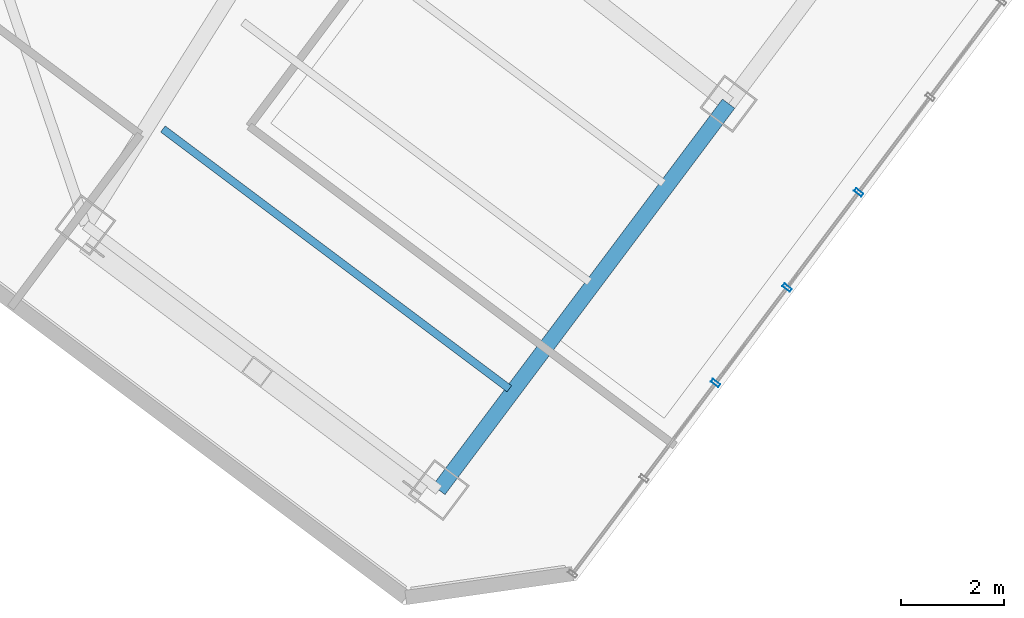
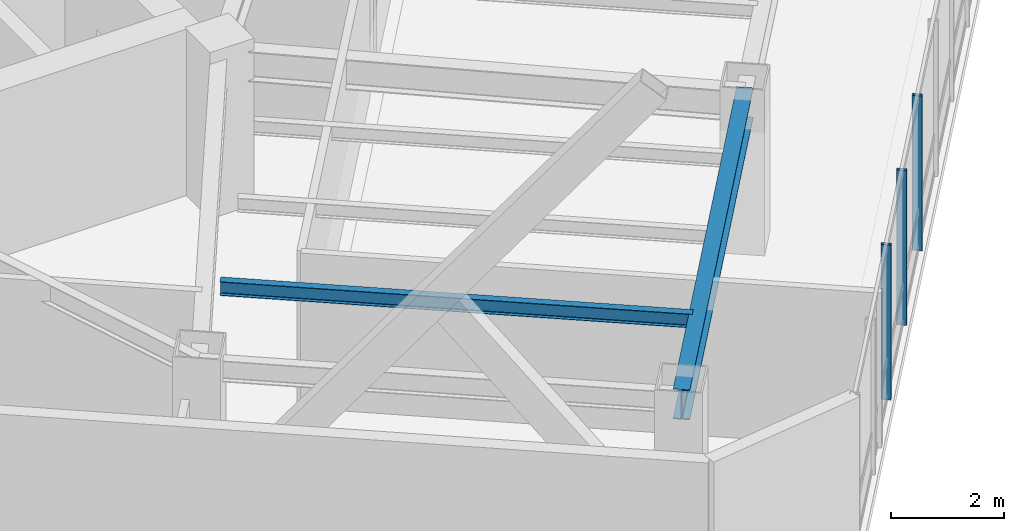
# One storey, part 11 of 26: 3 members, 2 beams, 1 element without a shape of its own.
"""IFC4 building model written with IfcOpenShell, lengths in metres."""

from ifc_helpers import new_model, si_unit, direction, frame, origin, origin_2d, place, context, subcontext, project, spatial, hollow_rectangle, i_section, extrude, material, layer, layer_set, material_profile, profile_set, type_object, element, aggregate, save


model = new_model("IFC4")

# Units and contexts
model_context = context("Model", 3, precision=1e-05, world=origin(), true_north=direction((0.0, 1.0)))
body_context = subcontext(model_context, "Body", "Model", "MODEL_VIEW")
ifc_project = project(units=[si_unit("LENGTHUNIT", "METRE"), si_unit("AREAUNIT", "SQUARE_METRE"), si_unit("VOLUMEUNIT", "CUBIC_METRE"), si_unit("PLANEANGLEUNIT", "RADIAN"), si_unit("MASSUNIT", "GRAM", prefix="KILO")], contexts=[model_context])

# Site, building, storey
site_placement = place(None, origin())
site = spatial("IfcSite", under=ifc_project, at=site_placement, CompositionType="ELEMENT")
building_placement = place(site_placement, origin())
building = spatial("IfcBuilding", under=site, at=building_placement, Name="Hatsunagi Terrace Concourse", CompositionType="ELEMENT")
storey_placement = place(building_placement, frame((0.0, 0.0, 134.85009765625)))
storey = spatial("IfcBuildingStorey", under=building, at=storey_placement, Name="L35", CompositionType="ELEMENT", Elevation=134.85009765625)

# Curtain wall, members
ifc_material_1 = material(Name="Anodised Aluminium Alloy 6063-T5", Category="aluminium")
ifc_layer = layer(ifc_material_1, 0.199951171875)
ifc_layer_set = layer_set([ifc_layer], Name="OfficeZone1_CW03")
curtain_wall_type = type_object("IfcCurtainWallType", Name="OfficeZone1_CW03", PredefinedType="NOTDEFINED", material=ifc_layer_set)
curtain_wall_placement = place(storey_placement, origin())
curtain_wall = element("IfcCurtainWall", 1, at=curtain_wall_placement, inside=storey, type_object=curtain_wall_type, Name="Unitised Curtain Wall CW-03 CW-L35-03", PredefinedType="NOTDEFINED")
ifc_material_2 = material(Name="Anodised Aluminium Alloy 6063-T5", Category="aluminium")
ifc_material_profile_1 = material_profile(ifc_material_2, hollow_rectangle(XDim=0.070068359375, YDim=0.179931640625, WallThickness=0.00390625, at=origin_2d()), Name="ALU-MUL-180x70x4")
ifc_profile_set_1 = profile_set([ifc_material_profile_1], Name="Anodised Aluminium Alloy 6063-T5")
member_type = type_object("IfcMemberType", Name="CurtainWallMullion_180x70", PredefinedType="MULLION", material=ifc_profile_set_1)
member_1_placement = place(storey_placement, frame((53.73193359375, 16.676025390625, 0.0), z_axis=(0.0, 0.0, 1.0), x_axis=(-0.599969314634, -0.800023013105, 0.0)))
member_1 = element("IfcMember", 2, at=member_1_placement, type_object=member_type, Name="Curtain Wall Mullion MUL-02", PredefinedType="MULLION", context=body_context, shape_type="SweptSolid", body=[
    extrude(hollow_rectangle(XDim=0.070068359375, YDim=0.179931640625, WallThickness=0.00390625, at=origin_2d()), origin(), (0.0, 0.0, 1.0), 3.349853515625),
])
member_2_placement = place(storey_placement, frame((52.340087890625, 14.819091796875, 0.0), z_axis=(0.0, 0.0, 1.0), x_axis=(-0.599969314634, -0.800023013105, 0.0)))
member_2 = element("IfcMember", 3, at=member_2_placement, type_object=member_type, Name="Curtain Wall Mullion MUL-02", PredefinedType="MULLION", context=body_context, shape_type="SweptSolid", body=[
    extrude(hollow_rectangle(XDim=0.070068359375, YDim=0.179931640625, WallThickness=0.00390625, at=origin_2d()), origin(), (0.0, 0.0, 1.0), 3.349853515625),
])
member_3_placement = place(storey_placement, frame((50.947021484375, 12.962890625, 0.0), z_axis=(0.0, 0.0, 1.0), x_axis=(-0.599969314634, -0.800023013105, 0.0)))
member_3 = element("IfcMember", 4, at=member_3_placement, type_object=member_type, Name="Curtain Wall Mullion MUL-02", PredefinedType="MULLION", context=body_context, shape_type="SweptSolid", body=[
    extrude(hollow_rectangle(XDim=0.070068359375, YDim=0.179931640625, WallThickness=0.00390625, at=origin_2d()), origin(), (0.0, 0.0, 1.0), 3.349853515625),
])
aggregate(curtain_wall, [member_1, member_2, member_3])

# Beams
ifc_material_3 = material(Name="Steel SN490B", Category="steel")
ifc_material_profile_2 = material_profile(ifc_material_3, i_section(OverallWidth=0.14990234375, OverallDepth=0.300048828125, WebThickness=0.006591796875, FlangeThickness=0.009033203125, FilletRadius=0.010986328125, at=origin_2d()), Name="H-300x150x6.5x9")
ifc_profile_set_2 = profile_set([ifc_material_profile_2], Name="Steel SN490B")
beam_type_1 = type_object("IfcBeamType", Name="OfficeJoist_H_300x150", PredefinedType="JOIST", material=ifc_profile_set_2)
beam_1_placement = place(storey_placement, frame((40.18798828125, 17.908935546875, 3.199951171875), z_axis=(0.800003475366, -0.59999536615, 0.0), x_axis=(0.59999536615, 0.800003475366, 0.0)))
element("IfcBeam", 5, at=beam_1_placement, inside=storey, type_object=beam_type_1, Name="Beam J-03 J-L35-SE-2-46", PredefinedType="JOIST", context=body_context, shape_type="SweptSolid", body=[
    extrude(i_section(OverallWidth=0.14990234375, OverallDepth=0.300048828125, WebThickness=0.006591796875, FlangeThickness=0.009033203125, FilletRadius=0.010986328125, at=origin_2d()), origin(), (0.0, 0.0, 1.0), 8.429931640625),
])
ifc_material_4 = material(Name="Steel SN490B", Category="steel")
ifc_material_profile_3 = material_profile(ifc_material_4, i_section(OverallWidth=0.300048828125, OverallDepth=0.64990234375, WebThickness=0.012939453125, FlangeThickness=0.02197265625, FilletRadius=0.01806640625, at=origin_2d()), Name="H-650x300x13x22")
ifc_profile_set_3 = profile_set([ifc_material_profile_3], Name="Steel SN490B")
beam_type_2 = type_object("IfcBeamType", Name="OfficeLowGirder_H_650x300", PredefinedType="BEAM", material=ifc_profile_set_3)
beam_2_placement = place(storey_placement, frame((45.56005859375, 10.8798828125, 3.02490234375), z_axis=(0.599991688754, 0.800006233367, 0.0), x_axis=(-0.800006233367, 0.599991688754, 0.0)))
element("IfcBeam", 6, at=beam_2_placement, inside=storey, type_object=beam_type_2, Name="Beam G-05 BM-L35-SET-2A", PredefinedType="BEAM", context=body_context, shape_type="SweptSolid", body=[
    extrude(i_section(OverallWidth=0.300048828125, OverallDepth=0.64990234375, WebThickness=0.012939453125, FlangeThickness=0.02197265625, FilletRadius=0.01806640625, at=origin_2d()), origin(), (0.0, 0.0, 1.0), 9.39990234375),
])

save(model, "model.ifc")
